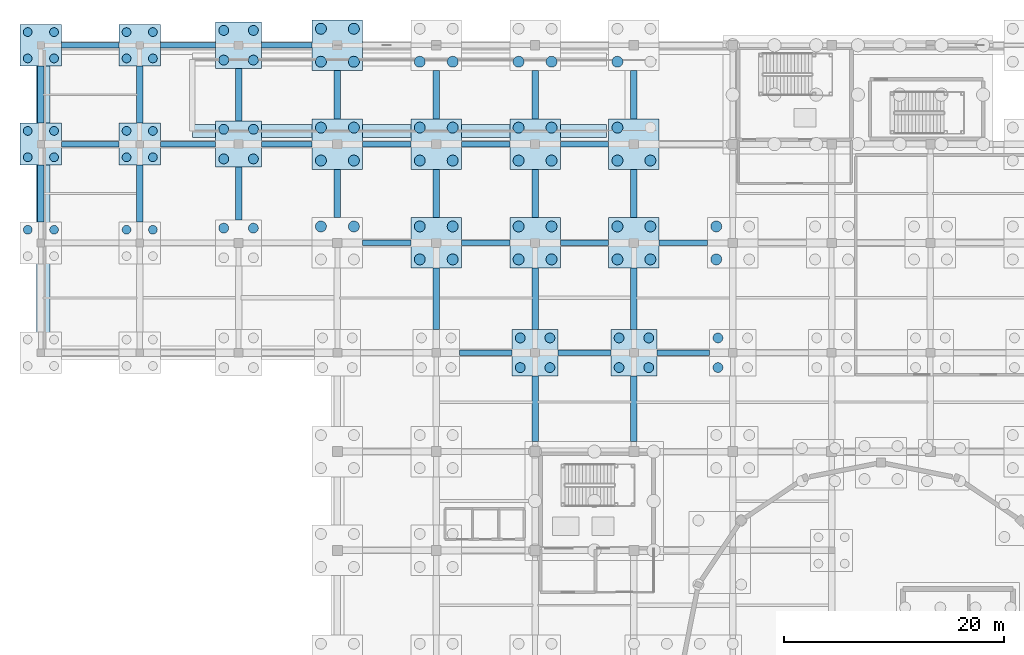
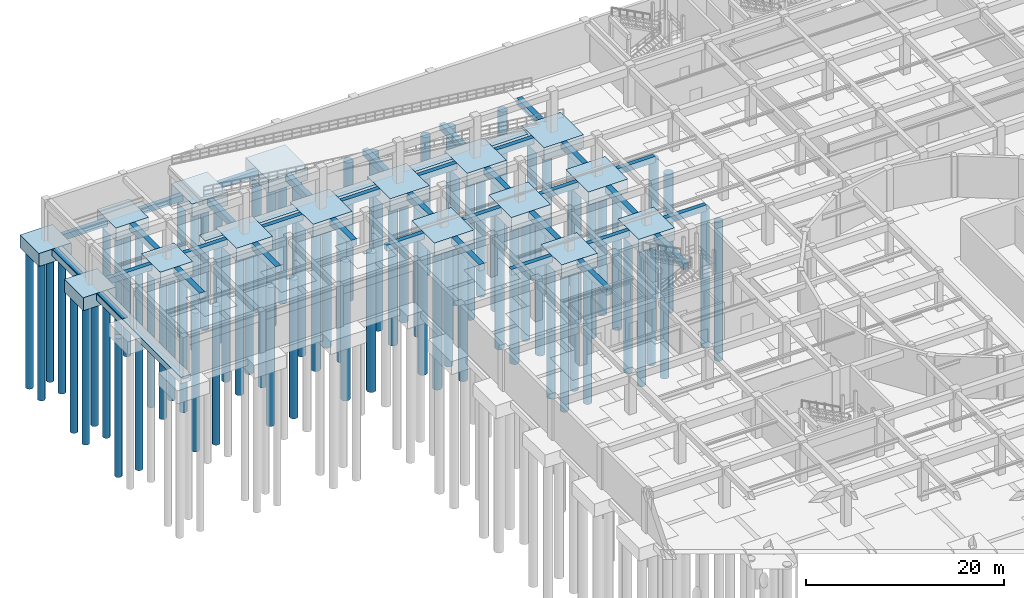
# One storey, part 6 of 62: 80 piles, 53 footings.
"""IFC4 building model written with IfcOpenShell, lengths in metres."""

from ifc_helpers import new_model, si_unit, direction, frame, origin, origin_2d, place, context, subcontext, project, spatial, polyline, rectangle, circle, outline, extrude, material, material_profile, profile_set, type_object, element, save


model = new_model("IFC4")

# Units and contexts
model_context = context("Model", 3, precision=1e-05, world=origin(), true_north=direction((0.0, 1.0)))
body_context = subcontext(model_context, "Body", "Model", "MODEL_VIEW")
ifc_project = project(units=[si_unit("LENGTHUNIT", "METRE"), si_unit("AREAUNIT", "SQUARE_METRE"), si_unit("VOLUMEUNIT", "CUBIC_METRE"), si_unit("PLANEANGLEUNIT", "RADIAN"), si_unit("MASSUNIT", "GRAM", prefix="KILO")], contexts=[model_context])

# Site, building, storey
site_placement = place(None, origin())
site = spatial("IfcSite", under=ifc_project, at=site_placement, CompositionType="ELEMENT")
building_placement = place(site_placement, origin())
building = spatial("IfcBuilding", under=site, at=building_placement, Name="Miravela Opera House", CompositionType="ELEMENT")
storey_placement = place(building_placement, frame((0.0, 0.0, -5.10009765625)))
storey = spatial("IfcBuildingStorey", under=building, at=storey_placement, Name="B01", CompositionType="ELEMENT", Elevation=-5.10009765625)

# Footings
ifc_material = material(Name="Concrete C35/45", Category="concrete")
footing_type_1 = type_object("IfcFootingType", Name="STR-GB-500X750", PredefinedType="FOOTING_BEAM", material=ifc_material)
footing_1_placement = place(storey_placement, frame((0.0, 0.0, -0.75)))
element("IfcFooting", 1, at=footing_1_placement, inside=storey, type_object=footing_type_1, Name="Seismic Grade Tie Beam GB-X-305", PredefinedType="FOOTING_BEAM", context=body_context, shape_type="SweptSolid", body=[
    extrude(outline(polyline([(38.10009765625, 83.75), (42.89990234375, 83.75), (42.89990234375, 84.25), (38.10009765625, 84.25), (38.10009765625, 83.75)])), origin(), (0.0, 0.0, 1.0), 0.75),
])
footing_2_placement = place(storey_placement, frame((0.0, 0.0, -0.75)))
element("IfcFooting", 2, at=footing_2_placement, inside=storey, type_object=footing_type_1, Name="Seismic Grade Tie Beam GB-X-306", PredefinedType="FOOTING_BEAM", context=body_context, shape_type="SweptSolid", body=[
    extrude(outline(polyline([(47.10009765625, 83.75), (51.89990234375, 83.75), (51.89990234375, 84.25), (47.10009765625, 84.25), (47.10009765625, 83.75)])), origin(), (0.0, 0.0, 1.0), 0.75),
])
footing_3_placement = place(storey_placement, frame((0.0, 0.0, -0.75)))
element("IfcFooting", 3, at=footing_3_placement, inside=storey, type_object=footing_type_1, Name="Seismic Grade Tie Beam GB-X-307", PredefinedType="FOOTING_BEAM", context=body_context, shape_type="SweptSolid", body=[
    extrude(outline(polyline([(56.10009765625, 83.75), (60.89990234375, 83.75), (60.89990234375, 84.25), (56.10009765625, 84.25), (56.10009765625, 83.75)])), origin(), (0.0, 0.0, 1.0), 0.75),
])
footing_4_placement = place(storey_placement, frame((0.0, 0.0, -0.75)))
element("IfcFooting", 4, at=footing_4_placement, inside=storey, type_object=footing_type_1, Name="Seismic Grade Tie Beam GB-X-322", PredefinedType="FOOTING_BEAM", context=body_context, shape_type="SweptSolid", body=[
    extrude(outline(polyline([(29.300048828125, 93.75), (33.699951171875, 93.75), (33.699951171875, 94.25), (29.300048828125, 94.25), (29.300048828125, 93.75)])), origin(), (0.0, 0.0, 1.0), 0.75),
])
footing_5_placement = place(storey_placement, frame((0.0, 0.0, -0.75)))
element("IfcFooting", 5, at=footing_5_placement, inside=storey, type_object=footing_type_1, Name="Seismic Grade Tie Beam GB-X-323", PredefinedType="FOOTING_BEAM", context=body_context, shape_type="SweptSolid", body=[
    extrude(outline(polyline([(38.300048828125, 93.75), (42.699951171875, 93.75), (42.699951171875, 94.25), (38.300048828125, 94.25), (38.300048828125, 93.75)])), origin(), (0.0, 0.0, 1.0), 0.75),
])
footing_6_placement = place(storey_placement, frame((0.0, 0.0, -0.75)))
element("IfcFooting", 6, at=footing_6_placement, inside=storey, type_object=footing_type_1, Name="Seismic Grade Tie Beam GB-X-324", PredefinedType="FOOTING_BEAM", context=body_context, shape_type="SweptSolid", body=[
    extrude(outline(polyline([(47.300048828125, 93.75), (51.699951171875, 93.75), (51.699951171875, 94.25), (47.300048828125, 94.25), (47.300048828125, 93.75)])), origin(), (0.0, 0.0, 1.0), 0.75),
])
footing_7_placement = place(storey_placement, frame((0.0, 0.0, -0.75)))
element("IfcFooting", 7, at=footing_7_placement, inside=storey, type_object=footing_type_1, Name="Seismic Grade Tie Beam GB-X-325", PredefinedType="FOOTING_BEAM", context=body_context, shape_type="SweptSolid", body=[
    extrude(outline(polyline([(56.300048828125, 93.75), (60.699951171875, 93.75), (60.699951171875, 94.25), (56.300048828125, 94.25), (56.300048828125, 93.75)])), origin(), (0.0, 0.0, 1.0), 0.75),
])
footing_8_placement = place(storey_placement, frame((0.0, 0.0, -0.75)))
element("IfcFooting", 8, at=footing_8_placement, inside=storey, type_object=footing_type_1, Name="Seismic Grade Tie Beam GB-X-337", PredefinedType="FOOTING_BEAM", context=body_context, shape_type="SweptSolid", body=[
    extrude(outline(polyline([(1.89990234375, 102.75), (7.10009765625, 102.75), (7.10009765625, 103.25), (1.89990234375, 103.25), (1.89990234375, 102.75)])), origin(), (0.0, 0.0, 1.0), 0.75),
])
footing_9_placement = place(storey_placement, frame((0.0, 0.0, -0.75)))
element("IfcFooting", 9, at=footing_9_placement, inside=storey, type_object=footing_type_1, Name="Seismic Grade Tie Beam GB-X-338", PredefinedType="FOOTING_BEAM", context=body_context, shape_type="SweptSolid", body=[
    extrude(outline(polyline([(10.89990234375, 102.75), (15.89990234375, 102.75), (15.89990234375, 103.25), (10.89990234375, 103.25), (10.89990234375, 102.75)])), origin(), (0.0, 0.0, 1.0), 0.75),
])
footing_10_placement = place(storey_placement, frame((0.0, 0.0, -0.75)))
element("IfcFooting", 10, at=footing_10_placement, inside=storey, type_object=footing_type_1, Name="Seismic Grade Tie Beam GB-X-339", PredefinedType="FOOTING_BEAM", context=body_context, shape_type="SweptSolid", body=[
    extrude(outline(polyline([(20.10009765625, 102.75), (24.699951171875, 102.75), (24.699951171875, 103.25), (20.10009765625, 103.25), (20.10009765625, 102.75)])), origin(), (0.0, 0.0, 1.0), 0.75),
])
footing_11_placement = place(storey_placement, frame((0.0, 0.0, -0.75)))
element("IfcFooting", 11, at=footing_11_placement, inside=storey, type_object=footing_type_1, Name="Seismic Grade Tie Beam GB-X-340", PredefinedType="FOOTING_BEAM", context=body_context, shape_type="SweptSolid", body=[
    extrude(outline(polyline([(29.300048828125, 102.75), (33.699951171875, 102.75), (33.699951171875, 103.25), (29.300048828125, 103.25), (29.300048828125, 102.75)])), origin(), (0.0, 0.0, 1.0), 0.75),
])
footing_12_placement = place(storey_placement, frame((0.0, 0.0, -0.75)))
element("IfcFooting", 12, at=footing_12_placement, inside=storey, type_object=footing_type_1, Name="Seismic Grade Tie Beam GB-X-341", PredefinedType="FOOTING_BEAM", context=body_context, shape_type="SweptSolid", body=[
    extrude(outline(polyline([(38.300048828125, 102.75), (42.699951171875, 102.75), (42.699951171875, 103.25), (38.300048828125, 103.25), (38.300048828125, 102.75)])), origin(), (0.0, 0.0, 1.0), 0.75),
])
footing_13_placement = place(storey_placement, frame((0.0, 0.0, -0.75)))
element("IfcFooting", 13, at=footing_13_placement, inside=storey, type_object=footing_type_1, Name="Seismic Grade Tie Beam GB-X-342", PredefinedType="FOOTING_BEAM", context=body_context, shape_type="SweptSolid", body=[
    extrude(outline(polyline([(47.300048828125, 102.75), (51.699951171875, 102.75), (51.699951171875, 103.25), (47.300048828125, 103.25), (47.300048828125, 102.75)])), origin(), (0.0, 0.0, 1.0), 0.75),
])
footing_14_placement = place(storey_placement, frame((0.0, 0.0, -0.75)))
element("IfcFooting", 14, at=footing_14_placement, inside=storey, type_object=footing_type_1, Name="Seismic Grade Tie Beam GB-X-352", PredefinedType="FOOTING_BEAM", context=body_context, shape_type="SweptSolid", body=[
    extrude(outline(polyline([(1.89990234375, 111.75), (7.10009765625, 111.75), (7.10009765625, 112.25), (1.89990234375, 112.25), (1.89990234375, 111.75)])), origin(), (0.0, 0.0, 1.0), 0.75),
])
footing_15_placement = place(storey_placement, frame((0.0, 0.0, -0.75)))
element("IfcFooting", 15, at=footing_15_placement, inside=storey, type_object=footing_type_1, Name="Seismic Grade Tie Beam GB-X-353", PredefinedType="FOOTING_BEAM", context=body_context, shape_type="SweptSolid", body=[
    extrude(outline(polyline([(10.89990234375, 111.75), (15.89990234375, 111.75), (15.89990234375, 112.25), (10.89990234375, 112.25), (10.89990234375, 111.75)])), origin(), (0.0, 0.0, 1.0), 0.75),
])
footing_16_placement = place(storey_placement, frame((0.0, 0.0, -0.75)))
element("IfcFooting", 16, at=footing_16_placement, inside=storey, type_object=footing_type_1, Name="Seismic Grade Tie Beam GB-X-354", PredefinedType="FOOTING_BEAM", context=body_context, shape_type="SweptSolid", body=[
    extrude(outline(polyline([(20.10009765625, 111.75), (24.699951171875, 111.75), (24.699951171875, 112.25), (20.10009765625, 112.25), (20.10009765625, 111.75)])), origin(), (0.0, 0.0, 1.0), 0.75),
])
footing_type_2 = type_object("IfcFootingType", Name="STR-GB-600X800", PredefinedType="FOOTING_BEAM", material=ifc_material)
footing_17_placement = place(storey_placement, frame((0.0, 0.0, -0.7998046875)))
element("IfcFooting", 17, at=footing_17_placement, inside=storey, type_object=footing_type_2, Name="Seismic Grade Tie Beam GB-Y-005", PredefinedType="FOOTING_BEAM", context=body_context, shape_type="SweptSolid", body=[
    extrude(outline(polyline([(-0.300048828125, 95.89990234375), (0.300048828125, 95.89990234375), (0.300048828125, 101.10009765625), (-0.300048828125, 101.10009765625), (-0.300048828125, 95.89990234375)])), origin(), (0.0, 0.0, 1.0), 0.7998046875),
])
footing_18_placement = place(storey_placement, frame((0.0, 0.0, -0.7998046875)))
element("IfcFooting", 18, at=footing_18_placement, inside=storey, type_object=footing_type_2, Name="Seismic Grade Tie Beam GB-Y-006", PredefinedType="FOOTING_BEAM", context=body_context, shape_type="SweptSolid", body=[
    extrude(outline(polyline([(-0.300048828125, 104.89990234375), (0.300048828125, 104.89990234375), (0.300048828125, 110.10009765625), (-0.300048828125, 110.10009765625), (-0.300048828125, 104.89990234375)])), origin(), (0.0, 0.0, 1.0), 0.7998046875),
])
footing_19_placement = place(storey_placement, frame((0.0, 0.0, -0.7998046875)))
element("IfcFooting", 19, at=footing_19_placement, inside=storey, type_object=footing_type_2, Name="Seismic Grade Tie Beam GB-Y-011", PredefinedType="FOOTING_BEAM", context=body_context, shape_type="SweptSolid", body=[
    extrude(outline(polyline([(8.699951171875, 95.89990234375), (9.300048828125, 95.89990234375), (9.300048828125, 101.10009765625), (8.699951171875, 101.10009765625), (8.699951171875, 95.89990234375)])), origin(), (0.0, 0.0, 1.0), 0.7998046875),
])
footing_20_placement = place(storey_placement, frame((0.0, 0.0, -0.7998046875)))
element("IfcFooting", 20, at=footing_20_placement, inside=storey, type_object=footing_type_2, Name="Seismic Grade Tie Beam GB-Y-012", PredefinedType="FOOTING_BEAM", context=body_context, shape_type="SweptSolid", body=[
    extrude(outline(polyline([(8.699951171875, 104.89990234375), (9.300048828125, 104.89990234375), (9.300048828125, 110.10009765625), (8.699951171875, 110.10009765625), (8.699951171875, 104.89990234375)])), origin(), (0.0, 0.0, 1.0), 0.7998046875),
])
footing_21_placement = place(storey_placement, frame((0.0, 0.0, -0.7998046875)))
element("IfcFooting", 21, at=footing_21_placement, inside=storey, type_object=footing_type_2, Name="Seismic Grade Tie Beam GB-Y-017", PredefinedType="FOOTING_BEAM", context=body_context, shape_type="SweptSolid", body=[
    extrude(outline(polyline([(17.699951171875, 96.10009765625), (18.300048828125, 96.10009765625), (18.300048828125, 100.89990234375), (17.699951171875, 100.89990234375), (17.699951171875, 96.10009765625)])), origin(), (0.0, 0.0, 1.0), 0.7998046875),
])
footing_22_placement = place(storey_placement, frame((0.0, 0.0, -0.7998046875)))
element("IfcFooting", 22, at=footing_22_placement, inside=storey, type_object=footing_type_2, Name="Seismic Grade Tie Beam GB-Y-018", PredefinedType="FOOTING_BEAM", context=body_context, shape_type="SweptSolid", body=[
    extrude(outline(polyline([(17.699951171875, 105.10009765625), (18.300048828125, 105.10009765625), (18.300048828125, 109.89990234375), (17.699951171875, 109.89990234375), (17.699951171875, 105.10009765625)])), origin(), (0.0, 0.0, 1.0), 0.7998046875),
])
footing_23_placement = place(storey_placement, frame((0.0, 0.0, -0.7998046875)))
element("IfcFooting", 23, at=footing_23_placement, inside=storey, type_object=footing_type_2, Name="Seismic Grade Tie Beam GB-Y-028", PredefinedType="FOOTING_BEAM", context=body_context, shape_type="SweptSolid", body=[
    extrude(outline(polyline([(26.699951171875, 96.300048828125), (27.300048828125, 96.300048828125), (27.300048828125, 100.699951171875), (26.699951171875, 100.699951171875), (26.699951171875, 96.300048828125)])), origin(), (0.0, 0.0, 1.0), 0.7998046875),
])
footing_24_placement = place(storey_placement, frame((0.0, 0.0, -0.7998046875)))
element("IfcFooting", 24, at=footing_24_placement, inside=storey, type_object=footing_type_2, Name="Seismic Grade Tie Beam GB-Y-029", PredefinedType="FOOTING_BEAM", context=body_context, shape_type="SweptSolid", body=[
    extrude(outline(polyline([(26.699951171875, 105.300048828125), (27.300048828125, 105.300048828125), (27.300048828125, 109.699951171875), (26.699951171875, 109.699951171875), (26.699951171875, 105.300048828125)])), origin(), (0.0, 0.0, 1.0), 0.7998046875),
])
footing_25_placement = place(storey_placement, frame((0.0, 0.0, -0.7998046875)))
element("IfcFooting", 25, at=footing_25_placement, inside=storey, type_object=footing_type_2, Name="Seismic Grade Tie Beam GB-Y-038", PredefinedType="FOOTING_BEAM", context=body_context, shape_type="SweptSolid", body=[
    extrude(outline(polyline([(35.699951171875, 86.10009765625), (36.300048828125, 86.10009765625), (36.300048828125, 91.699951171875), (35.699951171875, 91.699951171875), (35.699951171875, 86.10009765625)])), origin(), (0.0, 0.0, 1.0), 0.7998046875),
])
footing_26_placement = place(storey_placement, frame((0.0, 0.0, -0.7998046875)))
element("IfcFooting", 26, at=footing_26_placement, inside=storey, type_object=footing_type_2, Name="Seismic Grade Tie Beam GB-Y-039", PredefinedType="FOOTING_BEAM", context=body_context, shape_type="SweptSolid", body=[
    extrude(outline(polyline([(35.699951171875, 96.300048828125), (36.300048828125, 96.300048828125), (36.300048828125, 100.699951171875), (35.699951171875, 100.699951171875), (35.699951171875, 96.300048828125)])), origin(), (0.0, 0.0, 1.0), 0.7998046875),
])
footing_27_placement = place(storey_placement, frame((0.0, 0.0, -0.7998046875)))
element("IfcFooting", 27, at=footing_27_placement, inside=storey, type_object=footing_type_2, Name="Seismic Grade Tie Beam GB-Y-040", PredefinedType="FOOTING_BEAM", context=body_context, shape_type="SweptSolid", body=[
    extrude(outline(polyline([(35.699951171875, 105.300048828125), (36.300048828125, 105.300048828125), (36.300048828125, 109.699951171875), (35.699951171875, 109.699951171875), (35.699951171875, 105.300048828125)])), origin(), (0.0, 0.0, 1.0), 0.7998046875),
])
footing_28_placement = place(storey_placement, frame((0.0, 0.0, -0.7998046875)))
element("IfcFooting", 28, at=footing_28_placement, inside=storey, type_object=footing_type_2, Name="Seismic Grade Tie Beam GB-Y-047", PredefinedType="FOOTING_BEAM", context=body_context, shape_type="SweptSolid", body=[
    extrude(outline(polyline([(44.699951171875, 75.89990234375), (45.300048828125, 75.89990234375), (45.300048828125, 81.89990234375), (44.699951171875, 81.89990234375), (44.699951171875, 75.89990234375)])), origin(), (0.0, 0.0, 1.0), 0.7998046875),
])
footing_29_placement = place(storey_placement, frame((0.0, 0.0, -0.7998046875)))
element("IfcFooting", 29, at=footing_29_placement, inside=storey, type_object=footing_type_2, Name="Seismic Grade Tie Beam GB-Y-048", PredefinedType="FOOTING_BEAM", context=body_context, shape_type="SweptSolid", body=[
    extrude(outline(polyline([(44.699951171875, 86.10009765625), (45.300048828125, 86.10009765625), (45.300048828125, 91.699951171875), (44.699951171875, 91.699951171875), (44.699951171875, 86.10009765625)])), origin(), (0.0, 0.0, 1.0), 0.7998046875),
])
footing_30_placement = place(storey_placement, frame((0.0, 0.0, -0.7998046875)))
element("IfcFooting", 30, at=footing_30_placement, inside=storey, type_object=footing_type_2, Name="Seismic Grade Tie Beam GB-Y-049", PredefinedType="FOOTING_BEAM", context=body_context, shape_type="SweptSolid", body=[
    extrude(outline(polyline([(44.699951171875, 96.300048828125), (45.300048828125, 96.300048828125), (45.300048828125, 100.699951171875), (44.699951171875, 100.699951171875), (44.699951171875, 96.300048828125)])), origin(), (0.0, 0.0, 1.0), 0.7998046875),
])
footing_31_placement = place(storey_placement, frame((0.0, 0.0, -0.7998046875)))
element("IfcFooting", 31, at=footing_31_placement, inside=storey, type_object=footing_type_2, Name="Seismic Grade Tie Beam GB-Y-050", PredefinedType="FOOTING_BEAM", context=body_context, shape_type="SweptSolid", body=[
    extrude(outline(polyline([(44.699951171875, 105.300048828125), (45.300048828125, 105.300048828125), (45.300048828125, 109.699951171875), (44.699951171875, 109.699951171875), (44.699951171875, 105.300048828125)])), origin(), (0.0, 0.0, 1.0), 0.7998046875),
])
footing_32_placement = place(storey_placement, frame((0.0, 0.0, -0.7998046875)))
element("IfcFooting", 32, at=footing_32_placement, inside=storey, type_object=footing_type_2, Name="Seismic Grade Tie Beam GB-Y-057", PredefinedType="FOOTING_BEAM", context=body_context, shape_type="SweptSolid", body=[
    extrude(outline(polyline([(53.699951171875, 75.89990234375), (54.300048828125, 75.89990234375), (54.300048828125, 81.89990234375), (53.699951171875, 81.89990234375), (53.699951171875, 75.89990234375)])), origin(), (0.0, 0.0, 1.0), 0.7998046875),
])
footing_33_placement = place(storey_placement, frame((0.0, 0.0, -0.7998046875)))
element("IfcFooting", 33, at=footing_33_placement, inside=storey, type_object=footing_type_2, Name="Seismic Grade Tie Beam GB-Y-058", PredefinedType="FOOTING_BEAM", context=body_context, shape_type="SweptSolid", body=[
    extrude(outline(polyline([(53.699951171875, 86.10009765625), (54.300048828125, 86.10009765625), (54.300048828125, 91.699951171875), (53.699951171875, 91.699951171875), (53.699951171875, 86.10009765625)])), origin(), (0.0, 0.0, 1.0), 0.7998046875),
])
footing_34_placement = place(storey_placement, frame((0.0, 0.0, -0.7998046875)))
element("IfcFooting", 34, at=footing_34_placement, inside=storey, type_object=footing_type_2, Name="Seismic Grade Tie Beam GB-Y-059", PredefinedType="FOOTING_BEAM", context=body_context, shape_type="SweptSolid", body=[
    extrude(outline(polyline([(53.699951171875, 96.300048828125), (54.300048828125, 96.300048828125), (54.300048828125, 100.699951171875), (53.699951171875, 100.699951171875), (53.699951171875, 96.300048828125)])), origin(), (0.0, 0.0, 1.0), 0.7998046875),
])
footing_35_placement = place(storey_placement, frame((0.0, 0.0, -0.7998046875)))
element("IfcFooting", 35, at=footing_35_placement, inside=storey, type_object=footing_type_2, Name="Seismic Grade Tie Beam GB-Y-060", PredefinedType="FOOTING_BEAM", context=body_context, shape_type="SweptSolid", body=[
    extrude(outline(polyline([(53.699951171875, 105.300048828125), (54.300048828125, 105.300048828125), (54.300048828125, 109.699951171875), (53.699951171875, 109.699951171875), (53.699951171875, 105.300048828125)])), origin(), (0.0, 0.0, 1.0), 0.7998046875),
])
footing_type_3 = type_object("IfcFootingType", Name="STR-PC-3800X3800X1600", PredefinedType="PILE_CAP", material=ifc_material)
for number, where, z_axis, x_axis, name in (
    (36, (0.0, 103.0, -1.599853515625), (0.0, 0.0, 1.0), (1.0, 0.0, 0.0), "Pile Cap PC-B01-007 (PC-01)"),
    (37, (0.0, 112.0, -1.599853515625), (0.0, 0.0, 1.0), (1.0, 0.0, 0.0), "Pile Cap PC-B01-008 (PC-01)"),
    (38, (9.0, 103.0, -1.599853515625), (0.0, 0.0, 1.0), (1.0, 0.0, 0.0), "Pile Cap PC-B01-015 (PC-01)"),
    (39, (9.0, 112.0, -1.599853515625), (0.0, 0.0, 1.0), (1.0, 0.0, 0.0), "Pile Cap PC-B01-016 (PC-01)"),
):
    element("IfcFooting", number, at=place(storey_placement, frame(where, z_axis=z_axis, x_axis=x_axis)), inside=storey, type_object=footing_type_3, Name=name, PredefinedType="PILE_CAP", context=body_context, shape_type="SweptSolid", body=[
        extrude(rectangle(XDim=3.800048828125, YDim=3.800048828125, at=origin_2d()), origin(), (0.0, 0.0, 1.0), 1.60009765625),
    ])
footing_type_4 = type_object("IfcFootingType", Name="STR-PC-4200X4200X1600", PredefinedType="PILE_CAP", material=ifc_material)
for number, where, z_axis, x_axis, name in (
    (40, (18.0, 103.0, -1.599853515625), (0.0, 0.0, 1.0), (1.0, 0.0, 0.0), "Pile Cap PC-B01-023 (PC-02)"),
    (41, (18.0, 112.0, -1.599853515625), (0.0, 0.0, 1.0), (1.0, 0.0, 0.0), "Pile Cap PC-B01-024 (PC-02)"),
    (42, (45.0, 84.0, -1.599853515625), (0.0, 0.0, 1.0), (1.0, 0.0, 0.0), "Pile Cap PC-B01-055 (PC-02)"),
    (43, (54.0, 84.0, -1.599853515625), (0.0, 0.0, 1.0), (1.0, 0.0, 0.0), "Pile Cap PC-B01-064 (PC-02)"),
):
    element("IfcFooting", number, at=place(storey_placement, frame(where, z_axis=z_axis, x_axis=x_axis)), inside=storey, type_object=footing_type_4, Name=name, PredefinedType="PILE_CAP", context=body_context, shape_type="SweptSolid", body=[
        extrude(rectangle(XDim=4.199951171875, YDim=4.199951171875, at=origin_2d()), origin(), (0.0, 0.0, 1.0), 1.60009765625),
    ])
footing_type_5 = type_object("IfcFootingType", Name="STR-PC-4600X4600X1600", PredefinedType="PILE_CAP", material=ifc_material)
for number, where, z_axis, x_axis, name in (
    (44, (27.0, 103.0, -1.599853515625), (0.0, 0.0, 1.0), (1.0, 0.0, 0.0), "Pile Cap PC-B01-035 (PC-04)"),
    (45, (27.0, 112.0, -1.599853515625), (0.0, 0.0, 1.0), (1.0, 0.0, 0.0), "Pile Cap PC-B01-036 (PC-04)"),
    (46, (36.0, 94.0, -1.599853515625), (0.0, 0.0, 1.0), (1.0, 0.0, 0.0), "Pile Cap PC-B01-045 (PC-04)"),
    (47, (36.0, 103.0, -1.599853515625), (0.0, 0.0, 1.0), (1.0, 0.0, 0.0), "Pile Cap PC-B01-046 (PC-04)"),
    (48, (45.0, 94.0, -1.599853515625), (0.0, 0.0, 1.0), (1.0, 0.0, 0.0), "Pile Cap PC-B01-056 (PC-04)"),
    (49, (45.0, 103.0, -1.599853515625), (0.0, 0.0, 1.0), (1.0, 0.0, 0.0), "Pile Cap PC-B01-057 (PC-04)"),
    (50, (54.0, 94.0, -1.599853515625), (0.0, 0.0, 1.0), (1.0, 0.0, 0.0), "Pile Cap PC-B01-065 (PC-04)"),
    (51, (54.0, 103.0, -1.599853515625), (0.0, 0.0, 1.0), (1.0, 0.0, 0.0), "Pile Cap PC-B01-066 (PC-04)"),
):
    element("IfcFooting", number, at=place(storey_placement, frame(where, z_axis=z_axis, x_axis=x_axis)), inside=storey, type_object=footing_type_5, Name=name, PredefinedType="PILE_CAP", context=body_context, shape_type="SweptSolid", body=[
        extrude(rectangle(XDim=4.60009765625, YDim=4.60009765625, at=origin_2d()), origin(), (0.0, 0.0, 1.0), 1.60009765625),
    ])

# Piles
ifc_material_profile_1 = material_profile(ifc_material, circle(Radius=0.5, at=origin_2d()), Name="PILE-D1000")
ifc_profile_set_1 = profile_set([ifc_material_profile_1])
pile_type_1 = type_object("IfcPileType", Name="STR-PILE-D1000", PredefinedType="BORED", material=ifc_profile_set_1)
for number, where, z_axis, x_axis, name in (
    (52, (25.5, 95.5, -1.449951171875), (0.0, 0.0, -1.0), (1.0, 0.0, 0.0), "Bored Pile P-139"),
    (53, (28.5, 95.5, -1.449951171875), (0.0, 0.0, -1.0), (1.0, 0.0, 0.0), "Bored Pile P-141"),
    (54, (25.5, 101.5, -1.449951171875), (0.0, 0.0, -1.0), (1.0, 0.0, 0.0), "Bored Pile P-142"),
    (55, (25.5, 104.5, -1.449951171875), (0.0, 0.0, -1.0), (1.0, 0.0, 0.0), "Bored Pile P-143"),
    (56, (28.5, 101.5, -1.449951171875), (0.0, 0.0, -1.0), (1.0, 0.0, 0.0), "Bored Pile P-144"),
    (57, (28.5, 104.5, -1.449951171875), (0.0, 0.0, -1.0), (1.0, 0.0, 0.0), "Bored Pile P-145"),
    (58, (25.5, 110.5, -1.449951171875), (0.0, 0.0, -1.0), (1.0, 0.0, 0.0), "Bored Pile P-146"),
    (59, (25.5, 113.5, -1.449951171875), (0.0, 0.0, -1.0), (1.0, 0.0, 0.0), "Bored Pile P-147"),
    (60, (28.5, 110.5, -1.449951171875), (0.0, 0.0, -1.0), (1.0, 0.0, 0.0), "Bored Pile P-148"),
    (61, (28.5, 113.5, -1.449951171875), (0.0, 0.0, -1.0), (1.0, 0.0, 0.0), "Bored Pile P-149"),
    (62, (34.5, 92.5, -1.449951171875), (0.0, 0.0, -1.0), (1.0, 0.0, 0.0), "Bored Pile P-182"),
    (63, (34.5, 95.5, -1.449951171875), (0.0, 0.0, -1.0), (1.0, 0.0, 0.0), "Bored Pile P-183"),
    (64, (37.5, 92.5, -1.449951171875), (0.0, 0.0, -1.0), (1.0, 0.0, 0.0), "Bored Pile P-184"),
    (65, (37.5, 95.5, -1.449951171875), (0.0, 0.0, -1.0), (1.0, 0.0, 0.0), "Bored Pile P-185"),
    (66, (34.5, 101.5, -1.449951171875), (0.0, 0.0, -1.0), (1.0, 0.0, 0.0), "Bored Pile P-186"),
    (67, (34.5, 104.5, -1.449951171875), (0.0, 0.0, -1.0), (1.0, 0.0, 0.0), "Bored Pile P-187"),
    (68, (37.5, 101.5, -1.449951171875), (0.0, 0.0, -1.0), (1.0, 0.0, 0.0), "Bored Pile P-188"),
    (69, (37.5, 104.5, -1.449951171875), (0.0, 0.0, -1.0), (1.0, 0.0, 0.0), "Bored Pile P-189"),
    (70, (34.5, 110.5, -1.449951171875), (0.0, 0.0, -1.0), (1.0, 0.0, 0.0), "Bored Pile P-190"),
    (71, (37.5, 110.5, -1.449951171875), (0.0, 0.0, -1.0), (1.0, 0.0, 0.0), "Bored Pile P-192"),
    (72, (43.5, 92.5, -1.449951171875), (0.0, 0.0, -1.0), (1.0, 0.0, 0.0), "Bored Pile P-236"),
    (73, (43.5, 95.5, -1.449951171875), (0.0, 0.0, -1.0), (1.0, 0.0, 0.0), "Bored Pile P-237"),
    (74, (46.5, 92.5, -1.449951171875), (0.0, 0.0, -1.0), (1.0, 0.0, 0.0), "Bored Pile P-238"),
    (75, (46.5, 95.5, -1.449951171875), (0.0, 0.0, -1.0), (1.0, 0.0, 0.0), "Bored Pile P-239"),
    (76, (43.5, 101.5, -1.449951171875), (0.0, 0.0, -1.0), (1.0, 0.0, 0.0), "Bored Pile P-240"),
    (77, (43.5, 104.5, -1.449951171875), (0.0, 0.0, -1.0), (1.0, 0.0, 0.0), "Bored Pile P-241"),
    (78, (46.5, 101.5, -1.449951171875), (0.0, 0.0, -1.0), (1.0, 0.0, 0.0), "Bored Pile P-242"),
    (79, (46.5, 104.5, -1.449951171875), (0.0, 0.0, -1.0), (1.0, 0.0, 0.0), "Bored Pile P-243"),
    (80, (43.5, 110.5, -1.449951171875), (0.0, 0.0, -1.0), (1.0, 0.0, 0.0), "Bored Pile P-244"),
    (81, (46.5, 110.5, -1.449951171875), (0.0, 0.0, -1.0), (1.0, 0.0, 0.0), "Bored Pile P-246"),
    (82, (52.5, 92.5, -1.449951171875), (0.0, 0.0, -1.0), (1.0, 0.0, 0.0), "Bored Pile P-276"),
    (83, (52.5, 95.5, -1.449951171875), (0.0, 0.0, -1.0), (1.0, 0.0, 0.0), "Bored Pile P-277"),
    (84, (55.5, 92.5, -1.449951171875), (0.0, 0.0, -1.0), (1.0, 0.0, 0.0), "Bored Pile P-278"),
    (85, (55.5, 95.5, -1.449951171875), (0.0, 0.0, -1.0), (1.0, 0.0, 0.0), "Bored Pile P-279"),
    (86, (52.5, 101.5, -1.449951171875), (0.0, 0.0, -1.0), (1.0, 0.0, 0.0), "Bored Pile P-280"),
    (87, (52.5, 104.5, -1.449951171875), (0.0, 0.0, -1.0), (1.0, 0.0, 0.0), "Bored Pile P-281"),
    (88, (55.5, 101.5, -1.449951171875), (0.0, 0.0, -1.0), (1.0, 0.0, 0.0), "Bored Pile P-282"),
    (89, (52.5, 110.5, -1.449951171875), (0.0, 0.0, -1.0), (1.0, 0.0, 0.0), "Bored Pile P-284"),
    (90, (61.5, 92.5, -1.449951171875), (0.0, 0.0, -1.0), (1.0, 0.0, 0.0), "Bored Pile P-325"),
    (91, (61.5, 95.5, -1.449951171875), (0.0, 0.0, -1.0), (1.0, 0.0, 0.0), "Bored Pile P-326"),
):
    element("IfcPile", number, at=place(storey_placement, frame(where, z_axis=z_axis, x_axis=x_axis)), inside=storey, type_object=pile_type_1, Name=name, PredefinedType="BORED", context=body_context, shape_type="SweptSolid", body=[
        extrude(circle(Radius=0.5, at=origin_2d()), origin(), (0.0, 0.0, 1.0), 17.14990234375),
    ])
ifc_material_profile_2 = material_profile(ifc_material, circle(Radius=0.39990234375, at=origin_2d()), Name="PILE-D800")
ifc_profile_set_2 = profile_set([ifc_material_profile_2])
pile_type_2 = type_object("IfcPileType", Name="STR-PILE-D800", PredefinedType="BORED", material=ifc_profile_set_2)
for number, where, z_axis, x_axis, name in (
    (92, (-1.199951171875, 95.199951171875, -1.449951171875), (0.0, 0.0, -1.0), (1.0, 0.0, 0.0), "Bored Pile P-022"),
    (93, (1.199951171875, 95.199951171875, -1.449951171875), (0.0, 0.0, -1.0), (1.0, 0.0, 0.0), "Bored Pile P-024"),
    (94, (-1.199951171875, 101.800048828125, -1.449951171875), (0.0, 0.0, -1.0), (1.0, 0.0, 0.0), "Bored Pile P-025"),
    (95, (-1.199951171875, 104.199951171875, -1.449951171875), (0.0, 0.0, -1.0), (1.0, 0.0, 0.0), "Bored Pile P-026"),
    (96, (1.199951171875, 101.800048828125, -1.449951171875), (0.0, 0.0, -1.0), (1.0, 0.0, 0.0), "Bored Pile P-027"),
    (97, (1.199951171875, 104.199951171875, -1.449951171875), (0.0, 0.0, -1.0), (1.0, 0.0, 0.0), "Bored Pile P-028"),
    (98, (-1.199951171875, 110.800048828125, -1.449951171875), (0.0, 0.0, -1.0), (1.0, 0.0, 0.0), "Bored Pile P-029"),
    (99, (-1.199951171875, 113.199951171875, -1.449951171875), (0.0, 0.0, -1.0), (1.0, 0.0, 0.0), "Bored Pile P-030"),
    (100, (1.199951171875, 110.800048828125, -1.449951171875), (0.0, 0.0, -1.0), (1.0, 0.0, 0.0), "Bored Pile P-031"),
    (101, (1.199951171875, 113.199951171875, -1.449951171875), (0.0, 0.0, -1.0), (1.0, 0.0, 0.0), "Bored Pile P-032"),
    (102, (7.800048828125, 95.199951171875, -1.449951171875), (0.0, 0.0, -1.0), (1.0, 0.0, 0.0), "Bored Pile P-054"),
    (103, (10.199951171875, 95.199951171875, -1.449951171875), (0.0, 0.0, -1.0), (1.0, 0.0, 0.0), "Bored Pile P-056"),
    (104, (7.800048828125, 101.800048828125, -1.449951171875), (0.0, 0.0, -1.0), (1.0, 0.0, 0.0), "Bored Pile P-057"),
    (105, (7.800048828125, 104.199951171875, -1.449951171875), (0.0, 0.0, -1.0), (1.0, 0.0, 0.0), "Bored Pile P-058"),
    (106, (10.199951171875, 101.800048828125, -1.449951171875), (0.0, 0.0, -1.0), (1.0, 0.0, 0.0), "Bored Pile P-059"),
    (107, (10.199951171875, 104.199951171875, -1.449951171875), (0.0, 0.0, -1.0), (1.0, 0.0, 0.0), "Bored Pile P-060"),
    (108, (7.800048828125, 110.800048828125, -1.449951171875), (0.0, 0.0, -1.0), (1.0, 0.0, 0.0), "Bored Pile P-061"),
    (109, (7.800048828125, 113.199951171875, -1.449951171875), (0.0, 0.0, -1.0), (1.0, 0.0, 0.0), "Bored Pile P-062"),
    (110, (10.199951171875, 110.800048828125, -1.449951171875), (0.0, 0.0, -1.0), (1.0, 0.0, 0.0), "Bored Pile P-063"),
    (111, (10.199951171875, 113.199951171875, -1.449951171875), (0.0, 0.0, -1.0), (1.0, 0.0, 0.0), "Bored Pile P-064"),
):
    element("IfcPile", number, at=place(storey_placement, frame(where, z_axis=z_axis, x_axis=x_axis)), inside=storey, type_object=pile_type_2, Name=name, PredefinedType="BORED", context=body_context, shape_type="SweptSolid", body=[
        extrude(circle(Radius=0.39990234375, at=origin_2d()), origin(), (0.0, 0.0, 1.0), 17.14990234375),
    ])
ifc_material_profile_3 = material_profile(ifc_material, circle(Radius=0.449951171875, at=origin_2d()), Name="PILE-D900")
ifc_profile_set_3 = profile_set([ifc_material_profile_3])
pile_type_3 = type_object("IfcPileType", Name="STR-PILE-D900", PredefinedType="BORED", material=ifc_profile_set_3)
for number, where, z_axis, x_axis, name in (
    (112, (16.64990234375, 95.35009765625, -1.449951171875), (0.0, 0.0, -1.0), (1.0, 0.0, 0.0), "Bored Pile P-086"),
    (113, (19.35009765625, 95.35009765625, -1.449951171875), (0.0, 0.0, -1.0), (1.0, 0.0, 0.0), "Bored Pile P-088"),
    (114, (16.64990234375, 101.64990234375, -1.449951171875), (0.0, 0.0, -1.0), (1.0, 0.0, 0.0), "Bored Pile P-089"),
    (115, (16.64990234375, 104.35009765625, -1.449951171875), (0.0, 0.0, -1.0), (1.0, 0.0, 0.0), "Bored Pile P-090"),
    (116, (19.35009765625, 101.64990234375, -1.449951171875), (0.0, 0.0, -1.0), (1.0, 0.0, 0.0), "Bored Pile P-091"),
    (117, (19.35009765625, 104.35009765625, -1.449951171875), (0.0, 0.0, -1.0), (1.0, 0.0, 0.0), "Bored Pile P-092"),
    (118, (16.64990234375, 110.64990234375, -1.449951171875), (0.0, 0.0, -1.0), (1.0, 0.0, 0.0), "Bored Pile P-093"),
    (119, (16.64990234375, 113.35009765625, -1.449951171875), (0.0, 0.0, -1.0), (1.0, 0.0, 0.0), "Bored Pile P-094"),
    (120, (19.35009765625, 110.64990234375, -1.449951171875), (0.0, 0.0, -1.0), (1.0, 0.0, 0.0), "Bored Pile P-095"),
    (121, (19.35009765625, 113.35009765625, -1.449951171875), (0.0, 0.0, -1.0), (1.0, 0.0, 0.0), "Bored Pile P-096"),
    (122, (43.64990234375, 82.64990234375, -1.449951171875), (0.0, 0.0, -1.0), (1.0, 0.0, 0.0), "Bored Pile P-232"),
    (123, (43.64990234375, 85.35009765625, -1.449951171875), (0.0, 0.0, -1.0), (1.0, 0.0, 0.0), "Bored Pile P-233"),
    (124, (46.35009765625, 82.64990234375, -1.449951171875), (0.0, 0.0, -1.0), (1.0, 0.0, 0.0), "Bored Pile P-234"),
    (125, (46.35009765625, 85.35009765625, -1.449951171875), (0.0, 0.0, -1.0), (1.0, 0.0, 0.0), "Bored Pile P-235"),
    (126, (52.64990234375, 82.64990234375, -1.449951171875), (0.0, 0.0, -1.0), (1.0, 0.0, 0.0), "Bored Pile P-272"),
    (127, (52.64990234375, 85.35009765625, -1.449951171875), (0.0, 0.0, -1.0), (1.0, 0.0, 0.0), "Bored Pile P-273"),
    (128, (55.35009765625, 82.64990234375, -1.449951171875), (0.0, 0.0, -1.0), (1.0, 0.0, 0.0), "Bored Pile P-274"),
    (129, (55.35009765625, 85.35009765625, -1.449951171875), (0.0, 0.0, -1.0), (1.0, 0.0, 0.0), "Bored Pile P-275"),
    (130, (61.64990234375, 82.64990234375, -1.449951171875), (0.0, 0.0, -1.0), (1.0, 0.0, 0.0), "Bored Pile P-321"),
    (131, (61.64990234375, 85.35009765625, -1.449951171875), (0.0, 0.0, -1.0), (1.0, 0.0, 0.0), "Bored Pile P-322"),
):
    element("IfcPile", number, at=place(storey_placement, frame(where, z_axis=z_axis, x_axis=x_axis)), inside=storey, type_object=pile_type_3, Name=name, PredefinedType="BORED", context=body_context, shape_type="SweptSolid", body=[
        extrude(circle(Radius=0.449951171875, at=origin_2d()), origin(), (0.0, 0.0, 1.0), 17.14990234375),
    ])

# Footings
footing_type_6 = type_object("IfcFootingType", Name="STR-SF-1200X800", PredefinedType="STRIP_FOOTING", material=ifc_material)
footing_36_placement = place(storey_placement, frame((0.0, 0.0, -0.7998046875)))
element("IfcFooting", 132, at=footing_36_placement, inside=storey, type_object=footing_type_6, Name="Retaining Wall Strip Footing B01-RET-WN", PredefinedType="STRIP_FOOTING", context=body_context, shape_type="SweptSolid", body=[
    extrude(outline(polyline([(-0.375, 84.0), (0.824951171875, 84.0), (0.824951171875, 111.550048828125), (-0.375, 111.550048828125), (-0.375, 84.0)])), origin(), (0.0, 0.0, 1.0), 0.7998046875),
])
footing_37_placement = place(storey_placement, frame((0.0, 0.0, -0.7998046875)))
element("IfcFooting", 133, at=footing_37_placement, inside=storey, type_object=footing_type_6, Name="Vehicle Ramp Wall Strip Footing S", PredefinedType="STRIP_FOOTING", context=body_context, shape_type="SweptSolid", body=[
    extrude(outline(polyline([(13.800048828125, 103.60009765625), (51.5, 103.60009765625), (51.5, 104.800048828125), (13.800048828125, 104.800048828125), (13.800048828125, 103.60009765625)])), origin(), (0.0, 0.0, 1.0), 0.7998046875),
])

save(model, "model.ifc")
